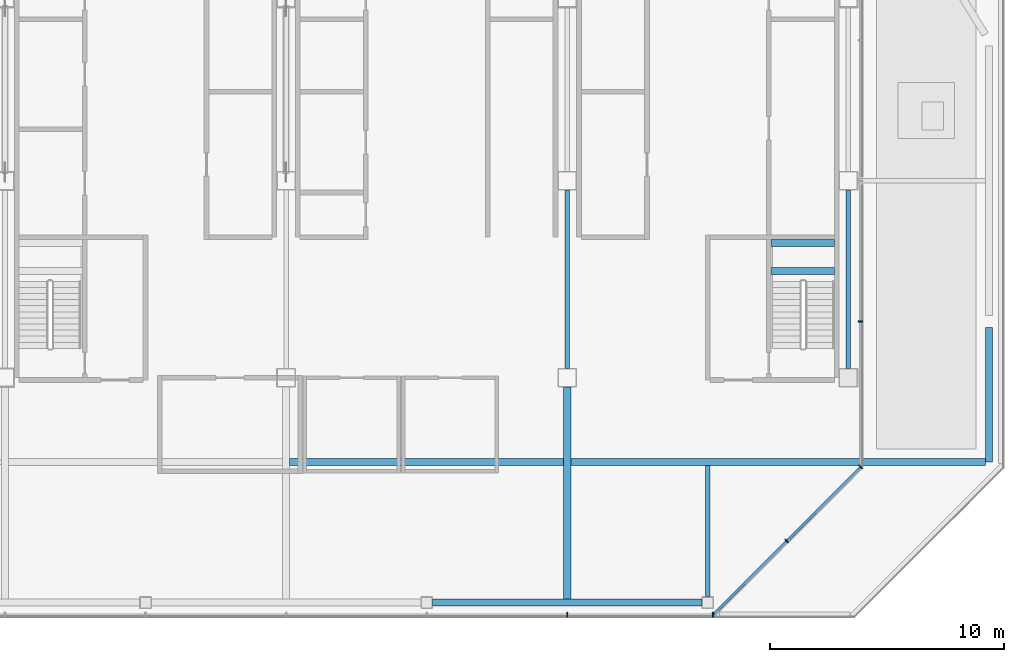
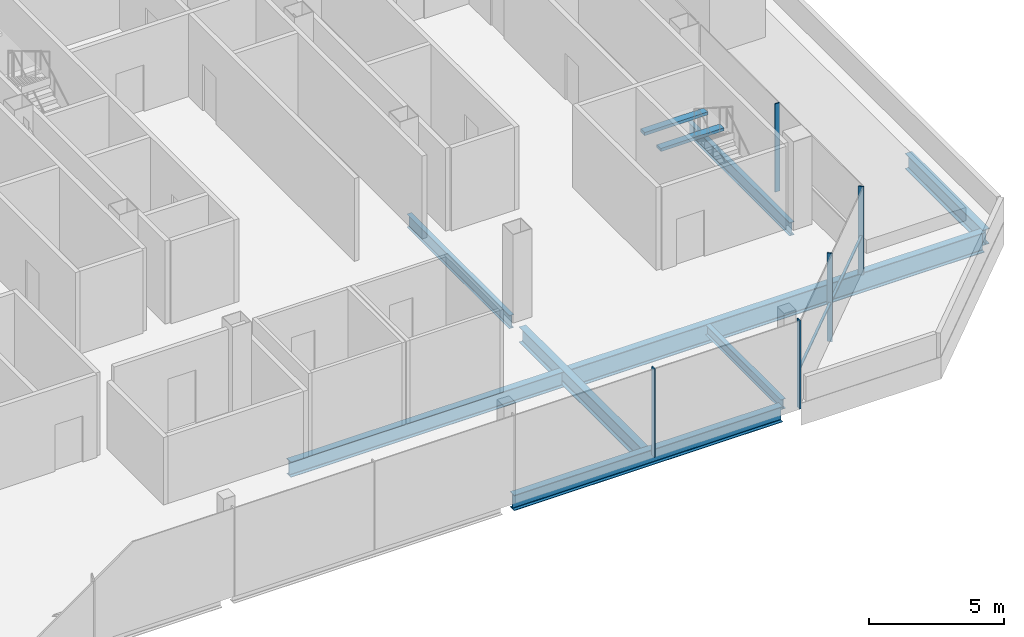
# One storey, part 7 of 17: 10 beams, 6 members, 3 elements without a shape of their own.
"""IFC4 building model written with IfcOpenShell, lengths in metres."""

import ifcopenshell
import ifcopenshell.guid

model = None  # the IFC model being written
_history = None  # IfcOwnerHistory: only IFC2X3 demands one
_inside = {}  # id of a spatial element -> (the spatial element, [elements in it])
_under = {}  # id of a project, library or spatial element -> (it, [spatial elements below it])
_declared = {}  # id of a project -> (the project, [libraries it declares])
_typed = {}  # id of a type object -> (the type object, [elements of that type])
_made_of = {}  # id of a material, layer set ... -> (it, [elements and type objects made of it])


def new_model(schema):
    """Start an empty IFC model of exactly this schema.

    Asked for "IFC4X3", IfcOpenShell would pick the latest addendum, in which some entities
    have other attributes; the version numbers below select the first issue.
    IFC2X3 requires an IfcOwnerHistory on every rooted entity: one is made here for all.
    """
    global model, _history
    if schema == "IFC4X3":
        model = ifcopenshell.file(schema_version=(4, 3, 0, 0))
    else:
        model = ifcopenshell.file(schema=schema)
    _inside.clear()
    _under.clear()
    _declared.clear()
    _typed.clear()
    _made_of.clear()
    _history = None
    if model.schema == "IFC2X3":
        org = make("IfcOrganization", Name="unknown")
        user = make(
            "IfcPersonAndOrganization",
            ThePerson=make("IfcPerson", FamilyName="unknown"),
            TheOrganization=org,
        )
        app = make(
            "IfcApplication",
            ApplicationDeveloper=org,
            Version="unknown",
            ApplicationFullName="unknown",
            ApplicationIdentifier="unknown",
        )
        _history = make(
            "IfcOwnerHistory",
            OwningUser=user,
            OwningApplication=app,
            ChangeAction="ADDED",
            CreationDate=0,
        )
    return model


def make(cls, **values):
    """One entity of the class cls with the attributes given. An attribute that is None is left unset."""
    return model.create_entity(
        cls, **{name: value for name, value in values.items() if value is not None}
    )


def rooted(cls, **values):
    """An entity with a GlobalId (a new one), such as an element, a storey or a relation."""
    return make(cls, GlobalId=ifcopenshell.guid.new(), OwnerHistory=_history, **values)


def si_unit(unit_type, name, prefix=None):
    """IfcSIUnit, for example si_unit("LENGTHUNIT", "METRE", prefix="MILLI")."""
    return make("IfcSIUnit", UnitType=unit_type, Prefix=prefix, Name=name)


def assignment(units):
    """IfcUnitAssignment: the units of a project."""
    return None if units is None else make("IfcUnitAssignment", Units=units)


def point(xyz):
    """IfcCartesianPoint."""
    return None if xyz is None else make("IfcCartesianPoint", Coordinates=xyz)


def direction(xyz):
    """IfcDirection."""
    return None if xyz is None else make("IfcDirection", DirectionRatios=xyz)


def frame(location, z_axis=None, x_axis=None):
    """IfcAxis2Placement3D, a coordinate frame: its origin and axes. An axis left out is left unset."""
    return make(
        "IfcAxis2Placement3D",
        Location=point(location),
        Axis=direction(z_axis),
        RefDirection=direction(x_axis),
    )


def frame_2d(location, x_axis=None):
    """IfcAxis2Placement2D, a coordinate frame in the plane: its origin and x axis."""
    return make(
        "IfcAxis2Placement2D", Location=point(location), RefDirection=direction(x_axis)
    )


def origin():
    """The frame at (0, 0, 0) with its axes left unset."""
    return frame((0.0, 0.0, 0.0))


def origin_2d():
    """The frame at (0, 0) in the plane with its x axis left unset."""
    return frame_2d((0.0, 0.0))


def place(relative_to, where):
    """IfcLocalPlacement: puts the frame where relative to a parent placement (None: the world)."""
    return make(
        "IfcLocalPlacement", PlacementRelTo=relative_to, RelativePlacement=where
    )


def context(
    kind, dimensions, precision=None, world=None, true_north=None, identifier=None
):
    """IfcGeometricRepresentationContext, for example the 3D "Model" context."""
    return make(
        "IfcGeometricRepresentationContext",
        ContextIdentifier=identifier,
        ContextType=kind,
        CoordinateSpaceDimension=dimensions,
        Precision=precision,
        WorldCoordinateSystem=world,
        TrueNorth=true_north,
    )


def subcontext(parent, identifier, kind, view, scale=None):
    """IfcGeometricRepresentationSubContext, for example "Body" below "Model"."""
    return make(
        "IfcGeometricRepresentationSubContext",
        ContextIdentifier=identifier,
        ContextType=kind,
        ParentContext=parent,
        TargetScale=scale,
        TargetView=view,
    )


def project(units=None, contexts=None):
    """IfcProject with its units and contexts."""
    return rooted(
        "IfcProject",
        Name="project",
        RepresentationContexts=contexts,
        UnitsInContext=assignment(units),
    )


def spatial(cls, under=None, at=None, **own):
    """A site, building, storey or space (cls), placed at a placement, below another one or the project."""
    s = rooted(cls, ObjectPlacement=at, **own)
    if under is not None:
        _under.setdefault(under.id(), (under, []))[1].append(s)
    return s


def profile(cls, at=None, kind="AREA", **sizes):
    """A parametric profile (cls). Its sizes go by their IFC names, for example OverallWidth=200.0."""
    return make(cls, ProfileType=kind, Position=at, **sizes)


def rectangle(**sizes):
    """IfcRectangleProfileDef."""
    return profile("IfcRectangleProfileDef", **sizes)


def i_section(**sizes):
    """IfcIShapeProfileDef."""
    return profile("IfcIShapeProfileDef", **sizes)


def extrude(swept, where, along, depth):
    """IfcExtrudedAreaSolid: the profile swept, set in the frame where, extruded along a direction by depth."""
    return make(
        "IfcExtrudedAreaSolid",
        SweptArea=swept,
        Position=where,
        ExtrudedDirection=direction(along),
        Depth=depth,
    )


def shape(context_of_items, identifier, shape_type, items):
    """IfcShapeRepresentation: the items that make up one representation, for example the "Body"."""
    return make(
        "IfcShapeRepresentation",
        ContextOfItems=context_of_items,
        RepresentationIdentifier=identifier,
        RepresentationType=shape_type,
        Items=items,
    )


def material(Name=None, Category=None):
    """IfcMaterial."""
    return make("IfcMaterial", Name=Name, Category=Category)


def material_profile(
    of_material, cross_section, Name=None, Category=None, Priority=None
):
    """IfcMaterialProfile: a cross section and its material."""
    return make(
        "IfcMaterialProfile",
        Name=Name,
        Material=of_material,
        Profile=cross_section,
        Priority=Priority,
        Category=Category,
    )


def profile_set(profiles, Name=None, composite=None):
    """IfcMaterialProfileSet."""
    return make(
        "IfcMaterialProfileSet",
        Name=Name,
        MaterialProfiles=profiles,
        CompositeProfile=composite,
    )


def made_of(thing, what):
    """Note that an element or type object is made of a material, layer set ...; save() writes the relation."""
    if what is not None:
        _made_of.setdefault(what.id(), (what, []))[1].append(thing)
    return thing


def type_object(cls, material=None, **own):
    """A type object (cls), such as IfcWallType, which elements share."""
    return made_of(rooted(cls, **own), material)


def element(
    cls,
    number,
    at=None,
    inside=None,
    cuts=None,
    type_object=None,
    material=None,
    context=None,
    identifier="Body",
    shape_type=None,
    held_by="IfcProductDefinitionShape",
    body=None,
    shapes=None,
    **own,
):
    """One element of the class cls, such as IfcWall. Its Tag is "e" and its number.

    at: its placement. inside: the storey or other place that contains it. cuts: it is an
    opening in that element (IfcRelVoidsElement). A single representation is given by context,
    identifier, shape_type and body (its items); several are given by shapes. held_by: the class
    of the entity that holds the representations. save() writes the other relations.
    """
    e = rooted(cls, Tag="e%d" % number, ObjectPlacement=at, **own)
    if body is not None:
        shapes = [shape(context, identifier, shape_type, body)]
    if shapes is not None:
        e.Representation = make(held_by, Representations=shapes)
    if inside is not None:
        _inside.setdefault(inside.id(), (inside, []))[1].append(e)
    if cuts is not None:
        rooted(
            "IfcRelVoidsElement", RelatingBuildingElement=cuts, RelatedOpeningElement=e
        )
    if type_object is not None:
        _typed.setdefault(type_object.id(), (type_object, []))[1].append(e)
    return made_of(e, material)


def aggregate(whole, parts):
    """IfcRelAggregates: a whole, such as a stair, and the parts it consists of."""
    return rooted("IfcRelAggregates", RelatingObject=whole, RelatedObjects=parts)


def save(model, path):
    """Write the relations noted so far, then the file.

    IfcRelAggregates (storeys below a building ...), IfcRelContainedInSpatialStructure (elements
    in a storey), IfcRelDefinesByType, IfcRelAssociatesMaterial and IfcRelDeclares: one each for
    every whole, place, type object, material and project.
    """
    for whole, parts in _under.values():
        aggregate(whole, parts)
    for where, things in _inside.values():
        rooted(
            "IfcRelContainedInSpatialStructure",
            RelatedElements=things,
            RelatingStructure=where,
        )
    for kind, things in _typed.values():
        rooted("IfcRelDefinesByType", RelatedObjects=things, RelatingType=kind)
    for what, things in _made_of.values():
        rooted("IfcRelAssociatesMaterial", RelatedObjects=things, RelatingMaterial=what)
    for by, libraries in _declared.values():
        rooted("IfcRelDeclares", RelatingContext=by, RelatedDefinitions=libraries)
    model.write(path)


model = new_model("IFC4")

# Units and contexts
model_context = context("Model", 3, precision=1e-05, world=origin(), true_north=direction((0.0, 1.0)))
body_context = subcontext(model_context, "Body", "Model", "MODEL_VIEW")
ifc_project = project(units=[si_unit("LENGTHUNIT", "METRE"), si_unit("AREAUNIT", "SQUARE_METRE"), si_unit("VOLUMEUNIT", "CUBIC_METRE"), si_unit("PLANEANGLEUNIT", "RADIAN"), si_unit("MASSUNIT", "GRAM", prefix="KILO")], contexts=[model_context])

# Site, building, storey
site_placement = place(None, origin())
site = spatial("IfcSite", under=ifc_project, at=site_placement, CompositionType="ELEMENT")
building_placement = place(site_placement, origin())
building = spatial("IfcBuilding", under=site, at=building_placement, Name="Sorahane Residences", CompositionType="ELEMENT")
storey_placement = place(building_placement, frame((0.0, 0.0, 341.800048828125)))
storey = spatial("IfcBuildingStorey", under=building, at=storey_placement, Name="L81", CompositionType="ELEMENT", Elevation=341.800048828125)

# Curtain wall, members
ifc_material_1 = material(Name="Dark low-e glass and black anodised aluminium", Category="aluminium")
curtain_wall_type = type_object("IfcCurtainWallType", Name="Curtain wall CW-6 Crown unitised wall", PredefinedType="NOTDEFINED", material=ifc_material_1)
curtain_wall_1_placement = place(storey_placement, origin())
curtain_wall_1 = element("IfcCurtainWall", 1, at=curtain_wall_1_placement, inside=storey, type_object=curtain_wall_type, Name="CW-6 curtain wall L81 S1", PredefinedType="NOTDEFINED")
ifc_material_2 = material(Name="Black anodised aluminium", Category="aluminium")
ifc_material_profile_1 = material_profile(ifc_material_2, rectangle(XDim=0.199951171875, YDim=0.050048828125, at=origin_2d()), Name="Curtain wall mullion CW-6 black anodised aluminium 50x200")
ifc_profile_set_1 = profile_set([ifc_material_profile_1], Name="Black anodised aluminium")
member_type_1 = type_object("IfcMemberType", Name="Curtain wall mullion CW-6 black anodised aluminium 50x200", PredefinedType="MULLION", material=ifc_profile_set_1)
member_1_placement = place(storey_placement, frame((30.0, 11.47998046875, -0.25), z_axis=(0.0, 0.0, 1.0), x_axis=(0.0, -1.0, 0.0)))
member_1 = element("IfcMember", 2, at=member_1_placement, type_object=member_type_1, Name="CW-6 mullion L81 S1.6", PredefinedType="MULLION", context=body_context, shape_type="SweptSolid", body=[
    extrude(rectangle(XDim=0.199951171875, YDim=0.050048828125, at=origin_2d()), origin(), (0.0, 0.0, 1.0), 4.0),
])
member_2_placement = place(storey_placement, frame((36.2236328125, 11.47998046875, -0.25), z_axis=(0.0, 0.0, 1.0), x_axis=(0.0, -1.0, 0.0)))
member_2 = element("IfcMember", 3, at=member_2_placement, type_object=member_type_1, Name="CW-6 mullion L81 S1.7", PredefinedType="MULLION", context=body_context, shape_type="SweptSolid", body=[
    extrude(rectangle(XDim=0.199951171875, YDim=0.050048828125, at=origin_2d()), origin(), (0.0, 0.0, 1.0), 4.0),
])
aggregate(curtain_wall_1, [member_1, member_2])

curtain_wall_2_placement = place(storey_placement, origin())
curtain_wall_2 = element("IfcCurtainWall", 4, at=curtain_wall_2_placement, inside=storey, type_object=curtain_wall_type, Name="CW-6 curtain wall L81 SE1", PredefinedType="NOTDEFINED")
member_3_placement = place(storey_placement, frame((39.36767578125, 14.63232421875, -0.25), z_axis=(0.0, 0.0, 1.0), x_axis=(0.707106781187, -0.707106781187, 0.0)))
member_3 = element("IfcMember", 5, at=member_3_placement, type_object=member_type_1, Name="CW-6 mullion L81 SE1.2", PredefinedType="MULLION", context=body_context, shape_type="SweptSolid", body=[
    extrude(rectangle(XDim=0.199951171875, YDim=0.050048828125, at=origin_2d()), origin(), (0.0, 0.0, 1.0), 4.0),
])
member_4_placement = place(storey_placement, frame((42.525634765625, 17.790283203125, -0.25), z_axis=(0.0, 0.0, 1.0), x_axis=(0.707106781187, -0.707106781187, 0.0)))
member_4 = element("IfcMember", 6, at=member_4_placement, type_object=member_type_1, Name="CW-6 mullion L81 SE1.3", PredefinedType="MULLION", context=body_context, shape_type="SweptSolid", body=[
    extrude(rectangle(XDim=0.199951171875, YDim=0.050048828125, at=origin_2d()), origin(), (0.0, 0.0, 1.0), 4.0),
])

# Curtain wall, member
curtain_wall_3_placement = place(storey_placement, origin())
curtain_wall_3 = element("IfcCurtainWall", 7, at=curtain_wall_3_placement, inside=storey, type_object=curtain_wall_type, Name="CW-6 curtain wall L81 E1", PredefinedType="NOTDEFINED")
member_5_placement = place(storey_placement, frame((42.52001953125, 24.0, -0.25), z_axis=(0.0, 0.0, 1.0), x_axis=(1.0, 0.0, 0.0)))
member_5 = element("IfcMember", 8, at=member_5_placement, type_object=member_type_1, Name="CW-6 mullion L81 E1.2", PredefinedType="MULLION", context=body_context, shape_type="SweptSolid", body=[
    extrude(rectangle(XDim=0.199951171875, YDim=0.050048828125, at=origin_2d()), origin(), (0.0, 0.0, 1.0), 4.0),
])
aggregate(curtain_wall_3, [member_5])

# Member
ifc_material_3 = material(Name="Black anodised aluminium", Category="aluminium")
ifc_material_profile_2 = material_profile(ifc_material_3, rectangle(XDim=0.10009765625, YDim=0.06005859375, at=origin_2d()), Name="Curtain wall transom CW-6 black anodised aluminium 60x100")
ifc_profile_set_2 = profile_set([ifc_material_profile_2], Name="Black anodised aluminium")
member_type_2 = type_object("IfcMemberType", Name="Curtain wall transom CW-6 black anodised aluminium 60x100", PredefinedType="USERDEFINED", material=ifc_profile_set_2)
member_6_placement = place(storey_placement, frame((36.234375, 11.48486328125, 1.5), z_axis=(0.707106781187, 0.707106781187, 0.0), x_axis=(-0.707106781187, 0.707106781187, 0.0)))
member_6 = element("IfcMember", 9, at=member_6_placement, type_object=member_type_2, Name="CW-6 transom L81 SE1", ObjectType="TRANSOM", PredefinedType="USERDEFINED", context=body_context, shape_type="SweptSolid", body=[
    extrude(rectangle(XDim=0.10009765625, YDim=0.06005859375, at=origin_2d()), origin(), (0.0, 0.0, 1.0), 8.88232421875),
])

aggregate(curtain_wall_2, [member_3, member_4, member_6])

# Beams
ifc_material_4 = material(Name="Concrete C40", Category="concrete")
ifc_material_profile_3 = material_profile(ifc_material_4, rectangle(XDim=0.300048828125, YDim=0.139892578125, at=origin_2d()), Name="300x140")
ifc_profile_set_3 = profile_set([ifc_material_profile_3], Name="Concrete C40")
beam_type_1 = type_object("IfcBeamType", Name="RC landing beam 300 x 140 Concrete C40", PredefinedType="BEAM", material=ifc_profile_set_3)
for number, where, z_axis, x_axis, name in (
    (10, (38.699951171875, 26.159912109375, 1.72998046875), (1.0, 0.0, 0.0), (0.0, 1.0, 0.0), "Landing beam"),
    (11, (38.699951171875, 27.35009765625, 1.72998046875), (1.0, 0.0, 0.0), (0.0, 1.0, 0.0), "Landing beam"),
):
    element("IfcBeam", number, at=place(storey_placement, frame(where, z_axis=z_axis, x_axis=x_axis)), inside=storey, type_object=beam_type_1, Name=name, PredefinedType="BEAM", context=body_context, shape_type="SweptSolid", body=[
        extrude(rectangle(XDim=0.300048828125, YDim=0.139892578125, at=origin_2d()), origin(), (0.0, 0.0, 1.0), 2.699951171875),
    ])
ifc_material_5 = material(Name="Steel Q355B", Category="steel")
ifc_material_profile_4 = material_profile(ifc_material_5, i_section(OverallWidth=0.199951171875, OverallDepth=0.449951171875, WebThickness=0.009033203125, FlangeThickness=0.013916015625, FilletRadius=0.02001953125, at=origin_2d()), Name="HN 450x200x9x14")
ifc_profile_set_4 = profile_set([ifc_material_profile_4], Name="Steel Q355B")
beam_type_2 = type_object("IfcBeamType", Name="Steel floor beam HN 450x200x9x14 Q355B", PredefinedType="BEAM", material=ifc_profile_set_4)
beam_1_placement = place(storey_placement, frame((36.0, 12.250244140625, -0.47509765625), z_axis=(0.0, 1.0, 0.0), x_axis=(-1.0, 0.0, 0.0)))
element("IfcBeam", 12, at=beam_1_placement, inside=storey, type_object=beam_type_2, Name="Beam L81 050", PredefinedType="BEAM", context=body_context, shape_type="SweptSolid", body=[
    extrude(i_section(OverallWidth=0.199951171875, OverallDepth=0.449951171875, WebThickness=0.009033203125, FlangeThickness=0.013916015625, FilletRadius=0.02001953125, at=origin_2d()), origin(), (0.0, 0.0, 1.0), 5.599609375),
])
ifc_material_6 = material(Name="Steel Q355B", Category="steel")
ifc_material_profile_5 = material_profile(ifc_material_6, i_section(OverallWidth=0.199951171875, OverallDepth=0.60009765625, WebThickness=0.010986328125, FlangeThickness=0.01708984375, FilletRadius=0.02392578125, at=origin_2d()), Name="HN 600x200x11x17")
ifc_profile_set_5 = profile_set([ifc_material_profile_5], Name="Steel Q355B")
beam_type_3 = type_object("IfcBeamType", Name="Steel floor beam HN 600x200x11x17 Q355B", PredefinedType="BEAM", material=ifc_profile_set_5)
for number, where, z_axis, x_axis, name in (
    (13, (30.0, 22.0, -0.550048828125), (0.0, 1.0, 0.0), (-1.0, 0.0, 0.0), "Beam L81 029"),
    (14, (42.0, 22.0, -0.550048828125), (0.0, 1.0, 0.0), (-1.0, 0.0, 0.0), "Beam L81 034"),
):
    element("IfcBeam", number, at=place(storey_placement, frame(where, z_axis=z_axis, x_axis=x_axis)), inside=storey, type_object=beam_type_3, Name=name, PredefinedType="BEAM", context=body_context, shape_type="SweptSolid", body=[
        extrude(i_section(OverallWidth=0.199951171875, OverallDepth=0.60009765625, WebThickness=0.010986328125, FlangeThickness=0.01708984375, FilletRadius=0.02392578125, at=origin_2d()), origin(), (0.0, 0.0, 1.0), 7.60009765625),
    ])
ifc_material_7 = material(Name="Steel Q355B", Category="steel")
ifc_material_profile_6 = material_profile(ifc_material_7, i_section(OverallWidth=0.300048828125, OverallDepth=0.699951171875, WebThickness=0.012939453125, FlangeThickness=0.02392578125, FilletRadius=0.028076171875, at=origin_2d()), Name="HN 700x300x13x24")
ifc_profile_set_6 = profile_set([ifc_material_profile_6], Name="Steel Q355B")
beam_type_4 = type_object("IfcBeamType", Name="Steel floor beam HN 700x300x13x24 Q355B", PredefinedType="BEAM", material=ifc_profile_set_6)
beam_2_placement = place(storey_placement, frame((24.25, 12.0, -0.60009765625), z_axis=(1.0, 0.0, 0.0), x_axis=(0.0, 1.0, 0.0)))
element("IfcBeam", 15, at=beam_2_placement, inside=storey, type_object=beam_type_4, Name="Beam L81 002", PredefinedType="BEAM", context=body_context, shape_type="SweptSolid", body=[
    extrude(i_section(OverallWidth=0.300048828125, OverallDepth=0.699951171875, WebThickness=0.012939453125, FlangeThickness=0.02392578125, FilletRadius=0.028076171875, at=origin_2d()), origin(), (0.0, 0.0, 1.0), 11.5),
])
beam_3_placement = place(storey_placement, frame((30.0, 12.14990234375, -0.60009765625), z_axis=(0.0, 1.0, 0.0), x_axis=(-1.0, 0.0, 0.0)))
element("IfcBeam", 16, at=beam_3_placement, inside=storey, type_object=beam_type_4, Name="Beam L81 028", PredefinedType="BEAM", context=body_context, shape_type="SweptSolid", body=[
    extrude(i_section(OverallWidth=0.300048828125, OverallDepth=0.699951171875, WebThickness=0.012939453125, FlangeThickness=0.02392578125, FilletRadius=0.028076171875, at=origin_2d()), origin(), (0.0, 0.0, 1.0), 9.050048828125),
])
beam_4_placement = place(storey_placement, frame((48.0, 18.0, -0.60009765625), z_axis=(0.0, 1.0, 0.0), x_axis=(-1.0, 0.0, 0.0)))
element("IfcBeam", 17, at=beam_4_placement, inside=storey, type_object=beam_type_4, Name="Beam L81 038", PredefinedType="BEAM", context=body_context, shape_type="SweptSolid", body=[
    extrude(i_section(OverallWidth=0.300048828125, OverallDepth=0.699951171875, WebThickness=0.012939453125, FlangeThickness=0.02392578125, FilletRadius=0.028076171875, at=origin_2d()), origin(), (0.0, 0.0, 1.0), 5.75),
])
beam_5_placement = place(storey_placement, frame((18.14990234375, 18.0, -0.60009765625), z_axis=(1.0, 0.0, 0.0), x_axis=(0.0, 1.0, 0.0)))
element("IfcBeam", 18, at=beam_5_placement, inside=storey, type_object=beam_type_4, Name="Beam L81 042", PredefinedType="BEAM", context=body_context, shape_type="SweptSolid", body=[
    extrude(i_section(OverallWidth=0.300048828125, OverallDepth=0.699951171875, WebThickness=0.012939453125, FlangeThickness=0.02392578125, FilletRadius=0.028076171875, at=origin_2d()), origin(), (0.0, 0.0, 1.0), 11.7001953125),
])
ifc_material_8 = material(Name="Steel Q355B", Category="steel")
ifc_material_profile_7 = material_profile(ifc_material_8, i_section(OverallWidth=0.300048828125, OverallDepth=0.89990234375, WebThickness=0.01611328125, FlangeThickness=0.028076171875, FilletRadius=0.028076171875, at=origin_2d()), Name="HN 900x300x16x28")
ifc_profile_set_7 = profile_set([ifc_material_profile_7], Name="Steel Q355B")
beam_type_5 = type_object("IfcBeamType", Name="Steel floor beam HN 900x300x16x28 Q355B", PredefinedType="BEAM", material=ifc_profile_set_7)
beam_6_placement = place(storey_placement, frame((30.14990234375, 18.0, -0.699951171875), z_axis=(1.0, 0.0, 0.0), x_axis=(0.0, 1.0, 0.0)))
element("IfcBeam", 19, at=beam_6_placement, inside=storey, type_object=beam_type_5, Name="Beam L81 043", PredefinedType="BEAM", context=body_context, shape_type="SweptSolid", body=[
    extrude(i_section(OverallWidth=0.300048828125, OverallDepth=0.89990234375, WebThickness=0.01611328125, FlangeThickness=0.028076171875, FilletRadius=0.028076171875, at=origin_2d()), origin(), (0.0, 0.0, 1.0), 17.7001953125),
])

save(model, "model.ifc")
